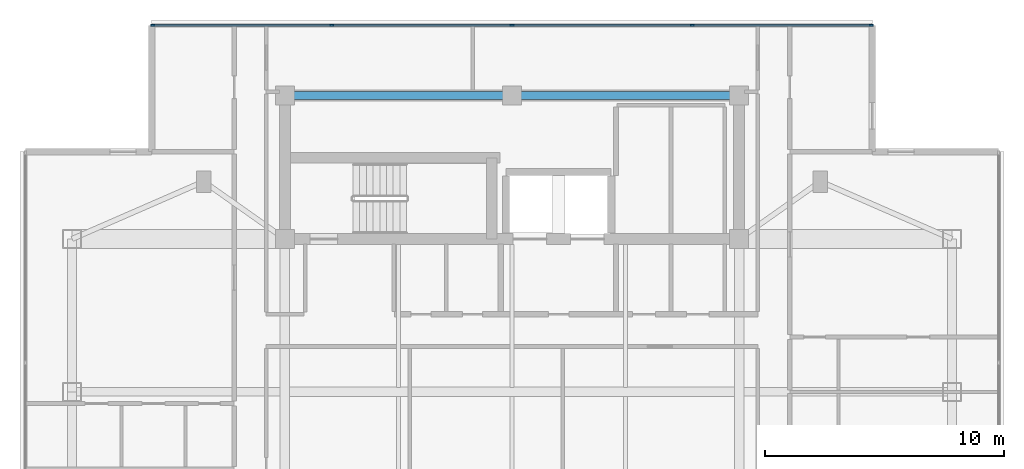
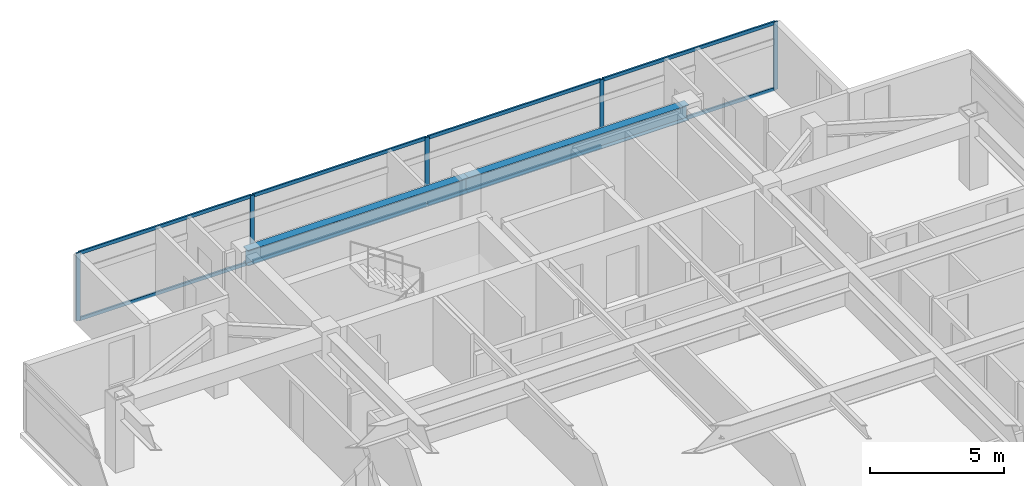
# One storey, part 5 of 12: 13 members, 2 beams, 1 element without a shape of its own.
"""IFC4 building model written with IfcOpenShell, lengths in metres."""

from ifc_helpers import new_model, si_unit, direction, frame, origin, origin_2d, place, context, subcontext, project, spatial, rectangle, i_section, extrude, material, material_profile, profile_set, type_object, element, aggregate, save


model = new_model("IFC4")

# Units and contexts
model_context = context("Model", 3, precision=1e-05, world=origin(), true_north=direction((0.0, 1.0)))
body_context = subcontext(model_context, "Body", "Model", "MODEL_VIEW")
ifc_project = project(units=[si_unit("LENGTHUNIT", "METRE"), si_unit("AREAUNIT", "SQUARE_METRE"), si_unit("VOLUMEUNIT", "CUBIC_METRE"), si_unit("PLANEANGLEUNIT", "RADIAN"), si_unit("MASSUNIT", "GRAM", prefix="KILO")], contexts=[model_context])

# Site, building, storey
site_placement = place(None, origin())
site = spatial("IfcSite", under=ifc_project, at=site_placement, CompositionType="ELEMENT")
building_placement = place(site_placement, origin())
building = spatial("IfcBuilding", under=site, at=building_placement, Name="Mirazonda Arch Towers", CompositionType="ELEMENT")
storey_placement = place(building_placement, frame((0.0, 0.0, 222.699951171875)))
storey = spatial("IfcBuildingStorey", under=building, at=storey_placement, Name="L63", CompositionType="ELEMENT", Elevation=222.699951171875)

# Beams
ifc_material_1 = material(Name="Steel ASTM A992 Grade 50", Category="steel")
ifc_material_profile_1 = material_profile(ifc_material_1, i_section(OverallWidth=0.35498046875, OverallDepth=0.696044921875, WebThickness=0.015380859375, FlangeThickness=0.02490234375, at=origin_2d()), Name="W27X146")
ifc_profile_set_1 = profile_set([ifc_material_profile_1], Name="Steel ASTM A992 Grade 50")
beam_type = type_object("IfcBeamType", Name="BM-INT-W27X146", PredefinedType="BEAM", material=ifc_profile_set_1)
for number, where, z_axis, x_axis, name in (
    (1, (11.0, 43.60009765625, 2.751953125), (1.0, 0.0, 0.0), (0.0, 1.0, 0.0), "L63 Floor Beam BM-T1-L63-CN1"),
    (2, (20.5, 43.60009765625, 2.751953125), (1.0, 0.0, 0.0), (0.0, 1.0, 0.0), "L63 Floor Beam BM-T1-L63-CN2"),
):
    element("IfcBeam", number, at=place(storey_placement, frame(where, z_axis=z_axis, x_axis=x_axis)), inside=storey, type_object=beam_type, Name=name, PredefinedType="BEAM", context=body_context, shape_type="SweptSolid", body=[
        extrude(i_section(OverallWidth=0.35498046875, OverallDepth=0.696044921875, WebThickness=0.015380859375, FlangeThickness=0.02490234375, at=origin_2d()), origin(), (0.0, 0.0, 1.0), 9.5),
    ])

# Curtain wall, members
ifc_material_2 = material(Name="Anodised Aluminium and Low-E Glass", Category="aluminium")
curtain_wall_type = type_object("IfcCurtainWallType", Name="CW-RES-UNIT", PredefinedType="NOTDEFINED", material=ifc_material_2)
curtain_wall_placement = place(storey_placement, origin())
curtain_wall = element("IfcCurtainWall", 3, at=curtain_wall_placement, inside=storey, type_object=curtain_wall_type, Name="L63 T1 N Facade CW-L63-T1-N", PredefinedType="NOTDEFINED")
ifc_material_3 = material(Name="Anodised Aluminium Alloy", Category="aluminium")
ifc_material_profile_2 = material_profile(ifc_material_3, rectangle(XDim=0.074951171875, YDim=0.175048828125, at=origin_2d()), Name="ALU-MULL-75x175")
ifc_profile_set_2 = profile_set([ifc_material_profile_2], Name="Anodised Aluminium Alloy")
member_type_1 = type_object("IfcMemberType", Name="MULL-CW-RES-UNIT", PredefinedType="MULLION", material=ifc_profile_set_2)
member_1_placement = place(storey_placement, frame((5.467529296875, 46.5380859375, 0.0), z_axis=(0.0, 0.0, 1.0), x_axis=(0.0, 1.0, 0.0)))
member_1 = element("IfcMember", 4, at=member_1_placement, type_object=member_type_1, Name="CW-104 mullion 1", PredefinedType="MULLION", context=body_context, shape_type="SweptSolid", body=[
    extrude(rectangle(XDim=0.074951171875, YDim=0.175048828125, at=origin_2d()), origin(), (0.0, 0.0, 1.0), 3.080078125),
])
member_2_placement = place(storey_placement, frame((12.965087890625, 46.5380859375, 0.0), z_axis=(0.0, 0.0, 1.0), x_axis=(0.0, 1.0, 0.0)))
member_2 = element("IfcMember", 5, at=member_2_placement, type_object=member_type_1, Name="CW-104 mullion 2", PredefinedType="MULLION", context=body_context, shape_type="SweptSolid", body=[
    extrude(rectangle(XDim=0.074951171875, YDim=0.175048828125, at=origin_2d()), origin(), (0.0, 0.0, 1.0), 3.080078125),
])
member_3_placement = place(storey_placement, frame((20.5, 46.5380859375, 0.0), z_axis=(0.0, 0.0, 1.0), x_axis=(0.0, 1.0, 0.0)))
member_3 = element("IfcMember", 6, at=member_3_placement, type_object=member_type_1, Name="CW-104 mullion 3", PredefinedType="MULLION", context=body_context, shape_type="SweptSolid", body=[
    extrude(rectangle(XDim=0.074951171875, YDim=0.175048828125, at=origin_2d()), origin(), (0.0, 0.0, 1.0), 3.080078125),
])
member_4_placement = place(storey_placement, frame((28.034912109375, 46.5380859375, 0.0), z_axis=(0.0, 0.0, 1.0), x_axis=(0.0, 1.0, 0.0)))
member_4 = element("IfcMember", 7, at=member_4_placement, type_object=member_type_1, Name="CW-104 mullion 4", PredefinedType="MULLION", context=body_context, shape_type="SweptSolid", body=[
    extrude(rectangle(XDim=0.074951171875, YDim=0.175048828125, at=origin_2d()), origin(), (0.0, 0.0, 1.0), 3.080078125),
])
member_5_placement = place(storey_placement, frame((35.532470703125, 46.5380859375, 0.0), z_axis=(0.0, 0.0, 1.0), x_axis=(0.0, 1.0, 0.0)))
member_5 = element("IfcMember", 8, at=member_5_placement, type_object=member_type_1, Name="CW-104 mullion 5", PredefinedType="MULLION", context=body_context, shape_type="SweptSolid", body=[
    extrude(rectangle(XDim=0.074951171875, YDim=0.175048828125, at=origin_2d()), origin(), (0.0, 0.0, 1.0), 3.080078125),
])
ifc_material_profile_3 = material_profile(ifc_material_3, rectangle(XDim=0.074951171875, YDim=0.155029296875, at=origin_2d()), Name="ALU-TRAN-75x155")
ifc_profile_set_3 = profile_set([ifc_material_profile_3], Name="Anodised Aluminium Alloy")
member_type_2 = type_object("IfcMemberType", Name="TRAN-CW-RES-UNIT", PredefinedType="USERDEFINED", material=ifc_profile_set_3)
member_6_placement = place(storey_placement, frame((5.5048828125, 46.5380859375, 0.03759765625), z_axis=(1.0, 0.0, 0.0), x_axis=(0.0, 1.0, 0.0)))
member_6 = element("IfcMember", 9, at=member_6_placement, type_object=member_type_2, Name="CW-104 transom 1.1", ObjectType="TRANSOM", PredefinedType="USERDEFINED", context=body_context, shape_type="SweptSolid", body=[
    extrude(rectangle(XDim=0.074951171875, YDim=0.155029296875, at=origin_2d()), origin(), (0.0, 0.0, 1.0), 7.422607421875),
])
member_7_placement = place(storey_placement, frame((5.5048828125, 46.5380859375, 3.04248046875), z_axis=(1.0, 0.0, 0.0), x_axis=(0.0, 1.0, 0.0)))
member_7 = element("IfcMember", 10, at=member_7_placement, type_object=member_type_2, Name="CW-104 transom 1.2", ObjectType="TRANSOM", PredefinedType="USERDEFINED", context=body_context, shape_type="SweptSolid", body=[
    extrude(rectangle(XDim=0.074951171875, YDim=0.155029296875, at=origin_2d()), origin(), (0.0, 0.0, 1.0), 7.422607421875),
])
member_8_placement = place(storey_placement, frame((13.00244140625, 46.5380859375, 0.03759765625), z_axis=(1.0, 0.0, 0.0), x_axis=(0.0, 1.0, 0.0)))
member_8 = element("IfcMember", 11, at=member_8_placement, type_object=member_type_2, Name="CW-104 transom 2.1", ObjectType="TRANSOM", PredefinedType="USERDEFINED", context=body_context, shape_type="SweptSolid", body=[
    extrude(rectangle(XDim=0.074951171875, YDim=0.155029296875, at=origin_2d()), origin(), (0.0, 0.0, 1.0), 7.4599609375),
])
member_9_placement = place(storey_placement, frame((13.00244140625, 46.5380859375, 3.04248046875), z_axis=(1.0, 0.0, 0.0), x_axis=(0.0, 1.0, 0.0)))
member_9 = element("IfcMember", 12, at=member_9_placement, type_object=member_type_2, Name="CW-104 transom 2.2", ObjectType="TRANSOM", PredefinedType="USERDEFINED", context=body_context, shape_type="SweptSolid", body=[
    extrude(rectangle(XDim=0.074951171875, YDim=0.155029296875, at=origin_2d()), origin(), (0.0, 0.0, 1.0), 7.4599609375),
])
member_10_placement = place(storey_placement, frame((20.53759765625, 46.5380859375, 0.03759765625), z_axis=(1.0, 0.0, 0.0), x_axis=(0.0, 1.0, 0.0)))
member_10 = element("IfcMember", 13, at=member_10_placement, type_object=member_type_2, Name="CW-104 transom 3.1", ObjectType="TRANSOM", PredefinedType="USERDEFINED", context=body_context, shape_type="SweptSolid", body=[
    extrude(rectangle(XDim=0.074951171875, YDim=0.155029296875, at=origin_2d()), origin(), (0.0, 0.0, 1.0), 7.4599609375),
])
member_11_placement = place(storey_placement, frame((20.53759765625, 46.5380859375, 3.04248046875), z_axis=(1.0, 0.0, 0.0), x_axis=(0.0, 1.0, 0.0)))
member_11 = element("IfcMember", 14, at=member_11_placement, type_object=member_type_2, Name="CW-104 transom 3.2", ObjectType="TRANSOM", PredefinedType="USERDEFINED", context=body_context, shape_type="SweptSolid", body=[
    extrude(rectangle(XDim=0.074951171875, YDim=0.155029296875, at=origin_2d()), origin(), (0.0, 0.0, 1.0), 7.4599609375),
])
member_12_placement = place(storey_placement, frame((28.072509765625, 46.5380859375, 0.03759765625), z_axis=(1.0, 0.0, 0.0), x_axis=(0.0, 1.0, 0.0)))
member_12 = element("IfcMember", 15, at=member_12_placement, type_object=member_type_2, Name="CW-104 transom 4.1", ObjectType="TRANSOM", PredefinedType="USERDEFINED", context=body_context, shape_type="SweptSolid", body=[
    extrude(rectangle(XDim=0.074951171875, YDim=0.155029296875, at=origin_2d()), origin(), (0.0, 0.0, 1.0), 7.422607421875),
])
member_13_placement = place(storey_placement, frame((28.072509765625, 46.5380859375, 3.04248046875), z_axis=(1.0, 0.0, 0.0), x_axis=(0.0, 1.0, 0.0)))
member_13 = element("IfcMember", 16, at=member_13_placement, type_object=member_type_2, Name="CW-104 transom 4.2", ObjectType="TRANSOM", PredefinedType="USERDEFINED", context=body_context, shape_type="SweptSolid", body=[
    extrude(rectangle(XDim=0.074951171875, YDim=0.155029296875, at=origin_2d()), origin(), (0.0, 0.0, 1.0), 7.422607421875),
])
aggregate(curtain_wall, [member_1, member_2, member_3, member_4, member_5, member_6, member_7, member_8, member_9, member_10, member_11, member_12, member_13])

save(model, "model.ifc")
